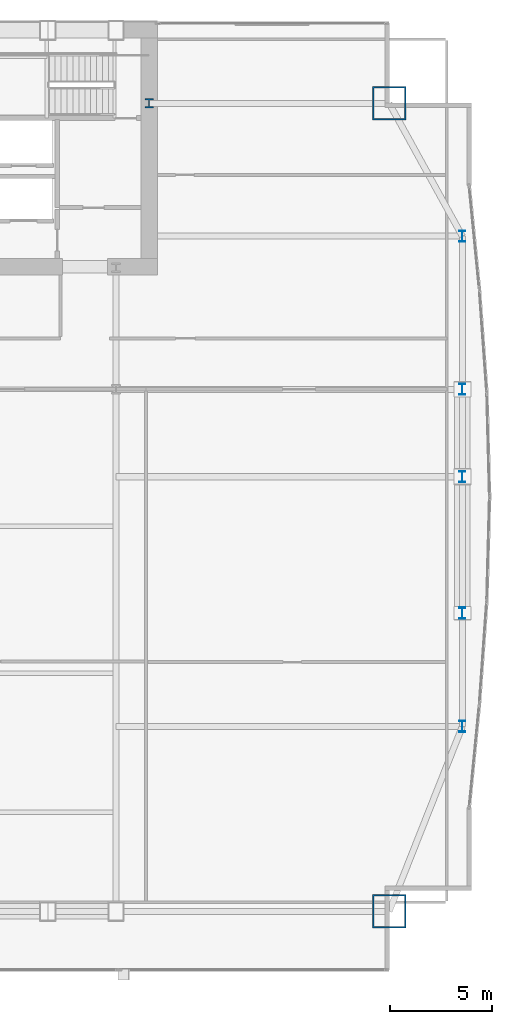
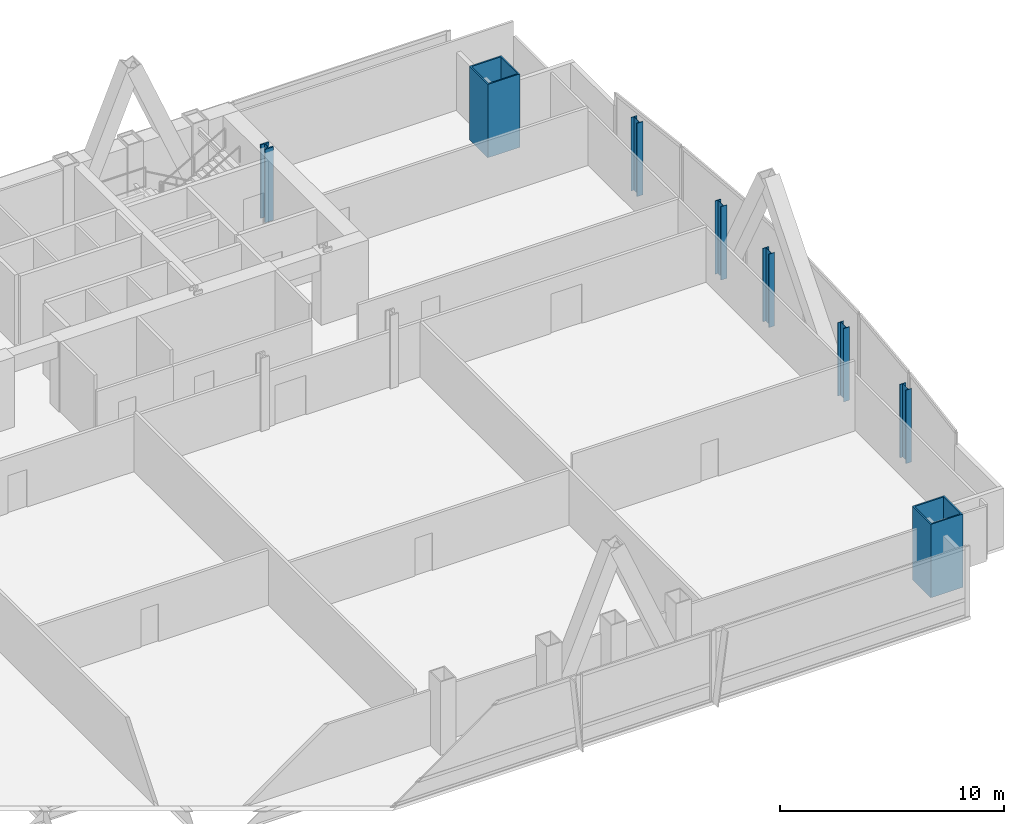
# One storey, part 4 of 33: 8 columns.
"""IFC4 building model written with IfcOpenShell, lengths in metres."""

import ifcopenshell
import ifcopenshell.guid

model = None  # the IFC model being written
_history = None  # IfcOwnerHistory: only IFC2X3 demands one
_inside = {}  # id of a spatial element -> (the spatial element, [elements in it])
_under = {}  # id of a project, library or spatial element -> (it, [spatial elements below it])
_declared = {}  # id of a project -> (the project, [libraries it declares])
_typed = {}  # id of a type object -> (the type object, [elements of that type])
_made_of = {}  # id of a material, layer set ... -> (it, [elements and type objects made of it])


def new_model(schema):
    """Start an empty IFC model of exactly this schema.

    Asked for "IFC4X3", IfcOpenShell would pick the latest addendum, in which some entities
    have other attributes; the version numbers below select the first issue.
    IFC2X3 requires an IfcOwnerHistory on every rooted entity: one is made here for all.
    """
    global model, _history
    if schema == "IFC4X3":
        model = ifcopenshell.file(schema_version=(4, 3, 0, 0))
    else:
        model = ifcopenshell.file(schema=schema)
    _inside.clear()
    _under.clear()
    _declared.clear()
    _typed.clear()
    _made_of.clear()
    _history = None
    if model.schema == "IFC2X3":
        org = make("IfcOrganization", Name="unknown")
        user = make(
            "IfcPersonAndOrganization",
            ThePerson=make("IfcPerson", FamilyName="unknown"),
            TheOrganization=org,
        )
        app = make(
            "IfcApplication",
            ApplicationDeveloper=org,
            Version="unknown",
            ApplicationFullName="unknown",
            ApplicationIdentifier="unknown",
        )
        _history = make(
            "IfcOwnerHistory",
            OwningUser=user,
            OwningApplication=app,
            ChangeAction="ADDED",
            CreationDate=0,
        )
    return model


def make(cls, **values):
    """One entity of the class cls with the attributes given. An attribute that is None is left unset."""
    return model.create_entity(
        cls, **{name: value for name, value in values.items() if value is not None}
    )


def rooted(cls, **values):
    """An entity with a GlobalId (a new one), such as an element, a storey or a relation."""
    return make(cls, GlobalId=ifcopenshell.guid.new(), OwnerHistory=_history, **values)


def si_unit(unit_type, name, prefix=None):
    """IfcSIUnit, for example si_unit("LENGTHUNIT", "METRE", prefix="MILLI")."""
    return make("IfcSIUnit", UnitType=unit_type, Prefix=prefix, Name=name)


def assignment(units):
    """IfcUnitAssignment: the units of a project."""
    return None if units is None else make("IfcUnitAssignment", Units=units)


def point(xyz):
    """IfcCartesianPoint."""
    return None if xyz is None else make("IfcCartesianPoint", Coordinates=xyz)


def direction(xyz):
    """IfcDirection."""
    return None if xyz is None else make("IfcDirection", DirectionRatios=xyz)


def frame(location, z_axis=None, x_axis=None):
    """IfcAxis2Placement3D, a coordinate frame: its origin and axes. An axis left out is left unset."""
    return make(
        "IfcAxis2Placement3D",
        Location=point(location),
        Axis=direction(z_axis),
        RefDirection=direction(x_axis),
    )


def frame_2d(location, x_axis=None):
    """IfcAxis2Placement2D, a coordinate frame in the plane: its origin and x axis."""
    return make(
        "IfcAxis2Placement2D", Location=point(location), RefDirection=direction(x_axis)
    )


def origin():
    """The frame at (0, 0, 0) with its axes left unset."""
    return frame((0.0, 0.0, 0.0))


def origin_2d():
    """The frame at (0, 0) in the plane with its x axis left unset."""
    return frame_2d((0.0, 0.0))


def place(relative_to, where):
    """IfcLocalPlacement: puts the frame where relative to a parent placement (None: the world)."""
    return make(
        "IfcLocalPlacement", PlacementRelTo=relative_to, RelativePlacement=where
    )


def context(
    kind, dimensions, precision=None, world=None, true_north=None, identifier=None
):
    """IfcGeometricRepresentationContext, for example the 3D "Model" context."""
    return make(
        "IfcGeometricRepresentationContext",
        ContextIdentifier=identifier,
        ContextType=kind,
        CoordinateSpaceDimension=dimensions,
        Precision=precision,
        WorldCoordinateSystem=world,
        TrueNorth=true_north,
    )


def subcontext(parent, identifier, kind, view, scale=None):
    """IfcGeometricRepresentationSubContext, for example "Body" below "Model"."""
    return make(
        "IfcGeometricRepresentationSubContext",
        ContextIdentifier=identifier,
        ContextType=kind,
        ParentContext=parent,
        TargetScale=scale,
        TargetView=view,
    )


def project(units=None, contexts=None):
    """IfcProject with its units and contexts."""
    return rooted(
        "IfcProject",
        Name="project",
        RepresentationContexts=contexts,
        UnitsInContext=assignment(units),
    )


def spatial(cls, under=None, at=None, **own):
    """A site, building, storey or space (cls), placed at a placement, below another one or the project."""
    s = rooted(cls, ObjectPlacement=at, **own)
    if under is not None:
        _under.setdefault(under.id(), (under, []))[1].append(s)
    return s


def profile(cls, at=None, kind="AREA", **sizes):
    """A parametric profile (cls). Its sizes go by their IFC names, for example OverallWidth=200.0."""
    return make(cls, ProfileType=kind, Position=at, **sizes)


def hollow_rectangle(**sizes):
    """IfcRectangleHollowProfileDef."""
    return profile("IfcRectangleHollowProfileDef", **sizes)


def i_section(**sizes):
    """IfcIShapeProfileDef."""
    return profile("IfcIShapeProfileDef", **sizes)


def extrude(swept, where, along, depth):
    """IfcExtrudedAreaSolid: the profile swept, set in the frame where, extruded along a direction by depth."""
    return make(
        "IfcExtrudedAreaSolid",
        SweptArea=swept,
        Position=where,
        ExtrudedDirection=direction(along),
        Depth=depth,
    )


def shape(context_of_items, identifier, shape_type, items):
    """IfcShapeRepresentation: the items that make up one representation, for example the "Body"."""
    return make(
        "IfcShapeRepresentation",
        ContextOfItems=context_of_items,
        RepresentationIdentifier=identifier,
        RepresentationType=shape_type,
        Items=items,
    )


def material(Name=None, Category=None):
    """IfcMaterial."""
    return make("IfcMaterial", Name=Name, Category=Category)


def material_profile(
    of_material, cross_section, Name=None, Category=None, Priority=None
):
    """IfcMaterialProfile: a cross section and its material."""
    return make(
        "IfcMaterialProfile",
        Name=Name,
        Material=of_material,
        Profile=cross_section,
        Priority=Priority,
        Category=Category,
    )


def profile_set(profiles, Name=None, composite=None):
    """IfcMaterialProfileSet."""
    return make(
        "IfcMaterialProfileSet",
        Name=Name,
        MaterialProfiles=profiles,
        CompositeProfile=composite,
    )


def made_of(thing, what):
    """Note that an element or type object is made of a material, layer set ...; save() writes the relation."""
    if what is not None:
        _made_of.setdefault(what.id(), (what, []))[1].append(thing)
    return thing


def type_object(cls, material=None, **own):
    """A type object (cls), such as IfcWallType, which elements share."""
    return made_of(rooted(cls, **own), material)


def element(
    cls,
    number,
    at=None,
    inside=None,
    cuts=None,
    type_object=None,
    material=None,
    context=None,
    identifier="Body",
    shape_type=None,
    held_by="IfcProductDefinitionShape",
    body=None,
    shapes=None,
    **own,
):
    """One element of the class cls, such as IfcWall. Its Tag is "e" and its number.

    at: its placement. inside: the storey or other place that contains it. cuts: it is an
    opening in that element (IfcRelVoidsElement). A single representation is given by context,
    identifier, shape_type and body (its items); several are given by shapes. held_by: the class
    of the entity that holds the representations. save() writes the other relations.
    """
    e = rooted(cls, Tag="e%d" % number, ObjectPlacement=at, **own)
    if body is not None:
        shapes = [shape(context, identifier, shape_type, body)]
    if shapes is not None:
        e.Representation = make(held_by, Representations=shapes)
    if inside is not None:
        _inside.setdefault(inside.id(), (inside, []))[1].append(e)
    if cuts is not None:
        rooted(
            "IfcRelVoidsElement", RelatingBuildingElement=cuts, RelatedOpeningElement=e
        )
    if type_object is not None:
        _typed.setdefault(type_object.id(), (type_object, []))[1].append(e)
    return made_of(e, material)


def aggregate(whole, parts):
    """IfcRelAggregates: a whole, such as a stair, and the parts it consists of."""
    return rooted("IfcRelAggregates", RelatingObject=whole, RelatedObjects=parts)


def save(model, path):
    """Write the relations noted so far, then the file.

    IfcRelAggregates (storeys below a building ...), IfcRelContainedInSpatialStructure (elements
    in a storey), IfcRelDefinesByType, IfcRelAssociatesMaterial and IfcRelDeclares: one each for
    every whole, place, type object, material and project.
    """
    for whole, parts in _under.values():
        aggregate(whole, parts)
    for where, things in _inside.values():
        rooted(
            "IfcRelContainedInSpatialStructure",
            RelatedElements=things,
            RelatingStructure=where,
        )
    for kind, things in _typed.values():
        rooted("IfcRelDefinesByType", RelatedObjects=things, RelatingType=kind)
    for what, things in _made_of.values():
        rooted("IfcRelAssociatesMaterial", RelatedObjects=things, RelatingMaterial=what)
    for by, libraries in _declared.values():
        rooted("IfcRelDeclares", RelatingContext=by, RelatedDefinitions=libraries)
    model.write(path)


model = new_model("IFC4")

# Units and contexts
model_context = context("Model", 3, precision=1e-05, world=origin(), true_north=direction((0.0, 1.0)))
body_context = subcontext(model_context, "Body", "Model", "MODEL_VIEW")
ifc_project = project(units=[si_unit("LENGTHUNIT", "METRE"), si_unit("AREAUNIT", "SQUARE_METRE"), si_unit("VOLUMEUNIT", "CUBIC_METRE"), si_unit("PLANEANGLEUNIT", "RADIAN"), si_unit("MASSUNIT", "GRAM", prefix="KILO")], contexts=[model_context])

# Site, building, storey
site_placement = place(None, origin())
site = spatial("IfcSite", under=ifc_project, at=site_placement, CompositionType="ELEMENT")
building_placement = place(site_placement, origin())
building = spatial("IfcBuilding", under=site, at=building_placement, Name="Khoronbel Lancet Exchange", CompositionType="ELEMENT")
storey_placement = place(building_placement, frame((0.0, 0.0, 73.800048828125)))
storey = spatial("IfcBuildingStorey", under=building, at=storey_placement, Name="L17", CompositionType="ELEMENT", Elevation=73.800048828125)

# Columns
ifc_material_1 = material(Name="Steel S460", Category="steel")
ifc_material_profile_1 = material_profile(ifc_material_1, i_section(OverallWidth=0.424072265625, OverallDepth=0.47412109375, WebThickness=0.047607421875, FlangeThickness=0.076904296875, at=origin_2d()), Name="HD 400x634")
ifc_profile_set_1 = profile_set([ifc_material_profile_1], Name="Steel S460")
column_type_1 = type_object("IfcColumnType", Name="COL-IC1", PredefinedType="COLUMN", material=ifc_profile_set_1)
column_placement = place(storey_placement, frame((56.300048828125, 49.699951171875, 0.0), z_axis=(0.0, 0.0, 1.0), x_axis=(1.0, 0.0, 0.0)))
element("IfcColumn", 1, at=column_placement, inside=storey, type_object=column_type_1, Name="Core-flank plumb transfer column CFE L17", PredefinedType="COLUMN", context=body_context, shape_type="SweptSolid", body=[
    extrude(i_section(OverallWidth=0.424072265625, OverallDepth=0.47412109375, WebThickness=0.047607421875, FlangeThickness=0.076904296875, at=origin_2d()), origin(), (0.0, 0.0, 1.0), 4.0),
])
ifc_material_2 = material(Name="Steel S355", Category="steel")
ifc_material_profile_2 = material_profile(ifc_material_2, i_section(OverallWidth=0.300048828125, OverallDepth=0.550048828125, WebThickness=0.014892578125, FlangeThickness=0.029052734375, at=origin_2d()), Name="HEB 550")
ifc_profile_set_2 = profile_set([ifc_material_profile_2], Name="Steel S355")
column_type_2 = type_object("IfcColumnType", Name="COL-LC1", PredefinedType="COLUMN", material=ifc_profile_set_2)
for number, where, z_axis, x_axis, name in (
    (2, (71.6298828125, 19.199951171875, 0.0), (0.0, 0.0, 1.0), (1.0, 0.0, 0.0), "Structural column EC-1 L17"),
    (3, (71.6298828125, 24.75, 0.0), (0.0, 0.0, 1.0), (1.0, 0.0, 0.0), "Structural column EC-2 L17"),
    (4, (71.6298828125, 31.425048828125, 0.0), (0.0, 0.0, 1.0), (1.0, 0.0, 0.0), "Structural column EC-M L17"),
    (5, (71.6298828125, 35.699951171875, 0.0), (0.0, 0.0, 1.0), (1.0, 0.0, 0.0), "Structural column EC-3 L17"),
    (6, (71.6298828125, 43.199951171875, 0.0), (0.0, 0.0, 1.0), (1.0, 0.0, 0.0), "Structural column EC-4 L17"),
):
    element("IfcColumn", number, at=place(storey_placement, frame(where, z_axis=z_axis, x_axis=x_axis)), inside=storey, type_object=column_type_2, Name=name, PredefinedType="COLUMN", context=body_context, shape_type="SweptSolid", body=[
        extrude(i_section(OverallWidth=0.300048828125, OverallDepth=0.550048828125, WebThickness=0.014892578125, FlangeThickness=0.029052734375, at=origin_2d()), origin(), (0.0, 0.0, 1.0), 4.0),
    ])
ifc_material_profile_3 = material_profile(ifc_material_1, hollow_rectangle(XDim=1.64990234375, YDim=1.64990234375, WallThickness=0.074951171875, at=origin_2d()), Name="BOX 1650x1650x75")
ifc_profile_set_3 = profile_set([ifc_material_profile_3], Name="Steel S460")
column_type_3 = type_object("IfcColumnType", Name="COL-MC2", PredefinedType="COLUMN", material=ifc_profile_set_3)
for number, where, z_axis, x_axis, name in (
    (7, (68.050048828125, 10.14990234375, 0.0), (0.0, 0.0, 1.0), (1.0, 0.0, 0.0), "Structural column MC-SE L17"),
    (8, (68.050048828125, 49.699951171875, 0.0), (0.0, 0.0, 1.0), (1.0, 0.0, 0.0), "Structural column MC-NE L17"),
):
    element("IfcColumn", number, at=place(storey_placement, frame(where, z_axis=z_axis, x_axis=x_axis)), inside=storey, type_object=column_type_3, Name=name, PredefinedType="COLUMN", context=body_context, shape_type="SweptSolid", body=[
        extrude(hollow_rectangle(XDim=1.64990234375, YDim=1.64990234375, WallThickness=0.074951171875, at=origin_2d()), origin(), (0.0, 0.0, 1.0), 4.0),
    ])

save(model, "model.ifc")
